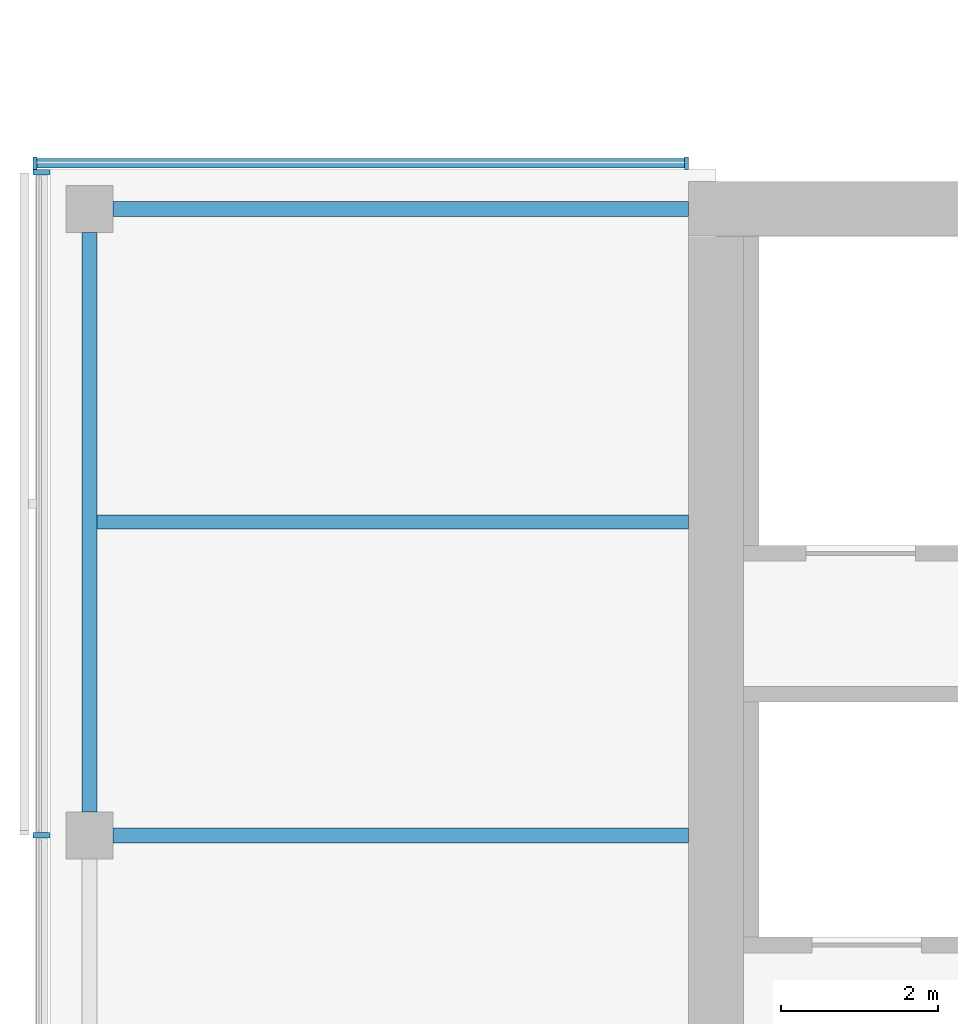
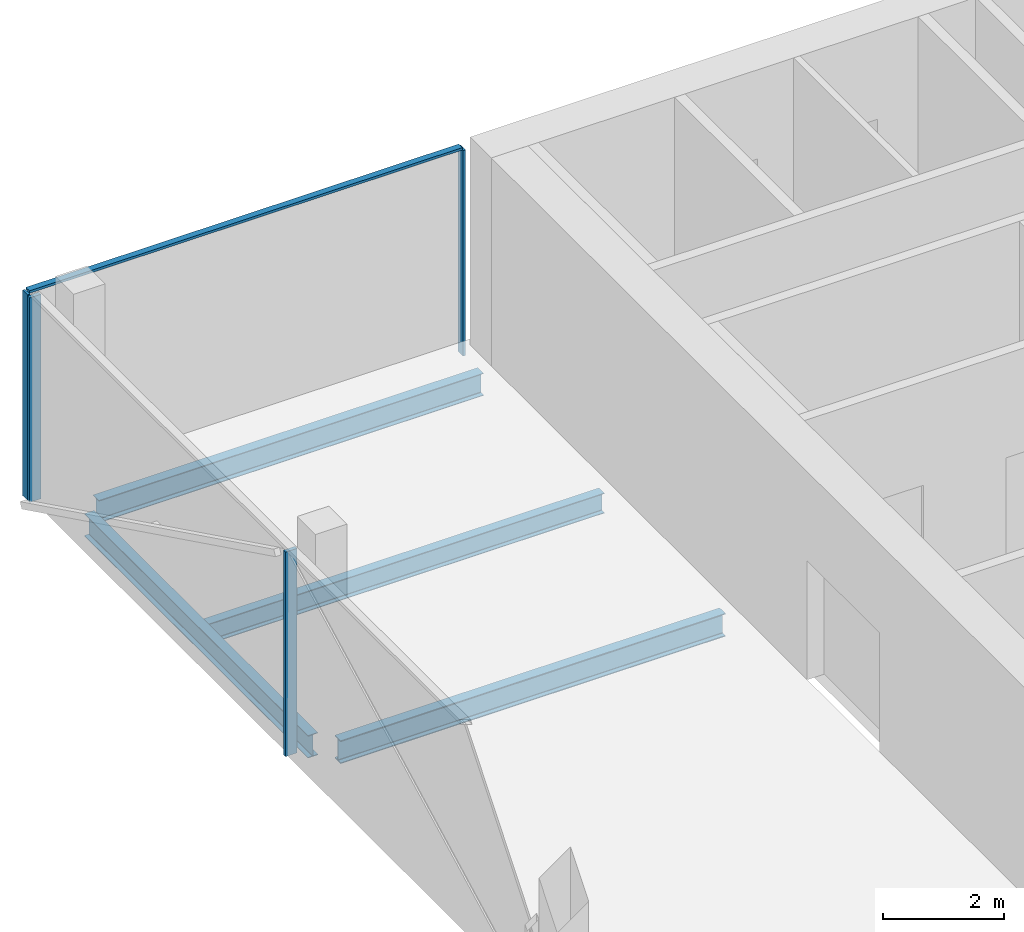
# One storey, part 7 of 22: 5 members, 4 beams, 2 elements without a shape of their own.
"""IFC4 building model written with IfcOpenShell, lengths in metres."""

import ifcopenshell
import ifcopenshell.guid

model = None  # the IFC model being written
_history = None  # IfcOwnerHistory: only IFC2X3 demands one
_inside = {}  # id of a spatial element -> (the spatial element, [elements in it])
_under = {}  # id of a project, library or spatial element -> (it, [spatial elements below it])
_declared = {}  # id of a project -> (the project, [libraries it declares])
_typed = {}  # id of a type object -> (the type object, [elements of that type])
_made_of = {}  # id of a material, layer set ... -> (it, [elements and type objects made of it])


def new_model(schema):
    """Start an empty IFC model of exactly this schema.

    Asked for "IFC4X3", IfcOpenShell would pick the latest addendum, in which some entities
    have other attributes; the version numbers below select the first issue.
    IFC2X3 requires an IfcOwnerHistory on every rooted entity: one is made here for all.
    """
    global model, _history
    if schema == "IFC4X3":
        model = ifcopenshell.file(schema_version=(4, 3, 0, 0))
    else:
        model = ifcopenshell.file(schema=schema)
    _inside.clear()
    _under.clear()
    _declared.clear()
    _typed.clear()
    _made_of.clear()
    _history = None
    if model.schema == "IFC2X3":
        org = make("IfcOrganization", Name="unknown")
        user = make(
            "IfcPersonAndOrganization",
            ThePerson=make("IfcPerson", FamilyName="unknown"),
            TheOrganization=org,
        )
        app = make(
            "IfcApplication",
            ApplicationDeveloper=org,
            Version="unknown",
            ApplicationFullName="unknown",
            ApplicationIdentifier="unknown",
        )
        _history = make(
            "IfcOwnerHistory",
            OwningUser=user,
            OwningApplication=app,
            ChangeAction="ADDED",
            CreationDate=0,
        )
    return model


def make(cls, **values):
    """One entity of the class cls with the attributes given. An attribute that is None is left unset."""
    return model.create_entity(
        cls, **{name: value for name, value in values.items() if value is not None}
    )


def rooted(cls, **values):
    """An entity with a GlobalId (a new one), such as an element, a storey or a relation."""
    return make(cls, GlobalId=ifcopenshell.guid.new(), OwnerHistory=_history, **values)


def si_unit(unit_type, name, prefix=None):
    """IfcSIUnit, for example si_unit("LENGTHUNIT", "METRE", prefix="MILLI")."""
    return make("IfcSIUnit", UnitType=unit_type, Prefix=prefix, Name=name)


def assignment(units):
    """IfcUnitAssignment: the units of a project."""
    return None if units is None else make("IfcUnitAssignment", Units=units)


def point(xyz):
    """IfcCartesianPoint."""
    return None if xyz is None else make("IfcCartesianPoint", Coordinates=xyz)


def direction(xyz):
    """IfcDirection."""
    return None if xyz is None else make("IfcDirection", DirectionRatios=xyz)


def frame(location, z_axis=None, x_axis=None):
    """IfcAxis2Placement3D, a coordinate frame: its origin and axes. An axis left out is left unset."""
    return make(
        "IfcAxis2Placement3D",
        Location=point(location),
        Axis=direction(z_axis),
        RefDirection=direction(x_axis),
    )


def frame_2d(location, x_axis=None):
    """IfcAxis2Placement2D, a coordinate frame in the plane: its origin and x axis."""
    return make(
        "IfcAxis2Placement2D", Location=point(location), RefDirection=direction(x_axis)
    )


def origin():
    """The frame at (0, 0, 0) with its axes left unset."""
    return frame((0.0, 0.0, 0.0))


def origin_2d():
    """The frame at (0, 0) in the plane with its x axis left unset."""
    return frame_2d((0.0, 0.0))


def place(relative_to, where):
    """IfcLocalPlacement: puts the frame where relative to a parent placement (None: the world)."""
    return make(
        "IfcLocalPlacement", PlacementRelTo=relative_to, RelativePlacement=where
    )


def context(
    kind, dimensions, precision=None, world=None, true_north=None, identifier=None
):
    """IfcGeometricRepresentationContext, for example the 3D "Model" context."""
    return make(
        "IfcGeometricRepresentationContext",
        ContextIdentifier=identifier,
        ContextType=kind,
        CoordinateSpaceDimension=dimensions,
        Precision=precision,
        WorldCoordinateSystem=world,
        TrueNorth=true_north,
    )


def subcontext(parent, identifier, kind, view, scale=None):
    """IfcGeometricRepresentationSubContext, for example "Body" below "Model"."""
    return make(
        "IfcGeometricRepresentationSubContext",
        ContextIdentifier=identifier,
        ContextType=kind,
        ParentContext=parent,
        TargetScale=scale,
        TargetView=view,
    )


def project(units=None, contexts=None):
    """IfcProject with its units and contexts."""
    return rooted(
        "IfcProject",
        Name="project",
        RepresentationContexts=contexts,
        UnitsInContext=assignment(units),
    )


def spatial(cls, under=None, at=None, **own):
    """A site, building, storey or space (cls), placed at a placement, below another one or the project."""
    s = rooted(cls, ObjectPlacement=at, **own)
    if under is not None:
        _under.setdefault(under.id(), (under, []))[1].append(s)
    return s


def profile(cls, at=None, kind="AREA", **sizes):
    """A parametric profile (cls). Its sizes go by their IFC names, for example OverallWidth=200.0."""
    return make(cls, ProfileType=kind, Position=at, **sizes)


def rectangle(**sizes):
    """IfcRectangleProfileDef."""
    return profile("IfcRectangleProfileDef", **sizes)


def i_section(**sizes):
    """IfcIShapeProfileDef."""
    return profile("IfcIShapeProfileDef", **sizes)


def extrude(swept, where, along, depth):
    """IfcExtrudedAreaSolid: the profile swept, set in the frame where, extruded along a direction by depth."""
    return make(
        "IfcExtrudedAreaSolid",
        SweptArea=swept,
        Position=where,
        ExtrudedDirection=direction(along),
        Depth=depth,
    )


def shape(context_of_items, identifier, shape_type, items):
    """IfcShapeRepresentation: the items that make up one representation, for example the "Body"."""
    return make(
        "IfcShapeRepresentation",
        ContextOfItems=context_of_items,
        RepresentationIdentifier=identifier,
        RepresentationType=shape_type,
        Items=items,
    )


def material(Name=None, Category=None):
    """IfcMaterial."""
    return make("IfcMaterial", Name=Name, Category=Category)


def material_profile(
    of_material, cross_section, Name=None, Category=None, Priority=None
):
    """IfcMaterialProfile: a cross section and its material."""
    return make(
        "IfcMaterialProfile",
        Name=Name,
        Material=of_material,
        Profile=cross_section,
        Priority=Priority,
        Category=Category,
    )


def profile_set(profiles, Name=None, composite=None):
    """IfcMaterialProfileSet."""
    return make(
        "IfcMaterialProfileSet",
        Name=Name,
        MaterialProfiles=profiles,
        CompositeProfile=composite,
    )


def made_of(thing, what):
    """Note that an element or type object is made of a material, layer set ...; save() writes the relation."""
    if what is not None:
        _made_of.setdefault(what.id(), (what, []))[1].append(thing)
    return thing


def type_object(cls, material=None, **own):
    """A type object (cls), such as IfcWallType, which elements share."""
    return made_of(rooted(cls, **own), material)


def element(
    cls,
    number,
    at=None,
    inside=None,
    cuts=None,
    type_object=None,
    material=None,
    context=None,
    identifier="Body",
    shape_type=None,
    held_by="IfcProductDefinitionShape",
    body=None,
    shapes=None,
    **own,
):
    """One element of the class cls, such as IfcWall. Its Tag is "e" and its number.

    at: its placement. inside: the storey or other place that contains it. cuts: it is an
    opening in that element (IfcRelVoidsElement). A single representation is given by context,
    identifier, shape_type and body (its items); several are given by shapes. held_by: the class
    of the entity that holds the representations. save() writes the other relations.
    """
    e = rooted(cls, Tag="e%d" % number, ObjectPlacement=at, **own)
    if body is not None:
        shapes = [shape(context, identifier, shape_type, body)]
    if shapes is not None:
        e.Representation = make(held_by, Representations=shapes)
    if inside is not None:
        _inside.setdefault(inside.id(), (inside, []))[1].append(e)
    if cuts is not None:
        rooted(
            "IfcRelVoidsElement", RelatingBuildingElement=cuts, RelatedOpeningElement=e
        )
    if type_object is not None:
        _typed.setdefault(type_object.id(), (type_object, []))[1].append(e)
    return made_of(e, material)


def aggregate(whole, parts):
    """IfcRelAggregates: a whole, such as a stair, and the parts it consists of."""
    return rooted("IfcRelAggregates", RelatingObject=whole, RelatedObjects=parts)


def save(model, path):
    """Write the relations noted so far, then the file.

    IfcRelAggregates (storeys below a building ...), IfcRelContainedInSpatialStructure (elements
    in a storey), IfcRelDefinesByType, IfcRelAssociatesMaterial and IfcRelDeclares: one each for
    every whole, place, type object, material and project.
    """
    for whole, parts in _under.values():
        aggregate(whole, parts)
    for where, things in _inside.values():
        rooted(
            "IfcRelContainedInSpatialStructure",
            RelatedElements=things,
            RelatingStructure=where,
        )
    for kind, things in _typed.values():
        rooted("IfcRelDefinesByType", RelatedObjects=things, RelatingType=kind)
    for what, things in _made_of.values():
        rooted("IfcRelAssociatesMaterial", RelatedObjects=things, RelatingMaterial=what)
    for by, libraries in _declared.values():
        rooted("IfcRelDeclares", RelatingContext=by, RelatedDefinitions=libraries)
    model.write(path)


model = new_model("IFC4")

# Units and contexts
model_context = context("Model", 3, precision=1e-05, world=origin(), true_north=direction((0.0, 1.0)))
body_context = subcontext(model_context, "Body", "Model", "MODEL_VIEW")
ifc_project = project(units=[si_unit("LENGTHUNIT", "METRE"), si_unit("AREAUNIT", "SQUARE_METRE"), si_unit("VOLUMEUNIT", "CUBIC_METRE"), si_unit("PLANEANGLEUNIT", "RADIAN"), si_unit("MASSUNIT", "GRAM", prefix="KILO")], contexts=[model_context])

# Site, building, storey
site_placement = place(None, origin())
site = spatial("IfcSite", under=ifc_project, at=site_placement, CompositionType="ELEMENT")
building_placement = place(site_placement, origin())
building = spatial("IfcBuilding", under=site, at=building_placement, Name="Crosswind Convention Tower", CompositionType="ELEMENT")
storey_placement = place(building_placement, frame((0.0, 0.0, 121.10009765625)))
storey = spatial("IfcBuildingStorey", under=building, at=storey_placement, Name="L24", CompositionType="ELEMENT", Elevation=121.10009765625)

# Beams
ifc_material_1 = material(Name="Steel S355", Category="steel")
ifc_material_profile_1 = material_profile(ifc_material_1, i_section(OverallWidth=0.18994140625, OverallDepth=0.45361328125, WebThickness=0.008544921875, FlangeThickness=0.0126953125, FilletRadius=0.01025390625, at=origin_2d()), Name="UB 457x191x67")
ifc_profile_set_1 = profile_set([ifc_material_profile_1], Name="Steel S355")
beam_type_1 = type_object("IfcBeamType", Name="Edge beam UB 457x191x67", PredefinedType="SPANDREL", material=ifc_profile_set_1)
beam_1_placement = place(storey_placement, frame((89.0, 104.300048828125, -0.52685546875), z_axis=(0.0, 1.0, 0.0), x_axis=(-1.0, 0.0, 0.0)))
element("IfcBeam", 1, at=beam_1_placement, inside=storey, type_object=beam_type_1, Name="B16 L24 edge beam 3", PredefinedType="SPANDREL", context=body_context, shape_type="SweptSolid", body=[
    extrude(i_section(OverallWidth=0.18994140625, OverallDepth=0.45361328125, WebThickness=0.008544921875, FlangeThickness=0.0126953125, FilletRadius=0.01025390625, at=origin_2d()), origin(), (0.0, 0.0, 1.0), 7.39990234375),
])
beam_2_placement = place(storey_placement, frame((89.300048828125, 112.0, -0.52685546875), z_axis=(1.0, 0.0, 0.0), x_axis=(0.0, 1.0, 0.0)))
element("IfcBeam", 2, at=beam_2_placement, inside=storey, type_object=beam_type_1, Name="B16 L24 edge beam 5", PredefinedType="SPANDREL", context=body_context, shape_type="SweptSolid", body=[
    extrude(i_section(OverallWidth=0.18994140625, OverallDepth=0.45361328125, WebThickness=0.008544921875, FlangeThickness=0.0126953125, FilletRadius=0.01025390625, at=origin_2d()), origin(), (0.0, 0.0, 1.0), 7.349853515625),
])
ifc_material_profile_2 = material_profile(ifc_material_1, i_section(OverallWidth=0.19189453125, OverallDepth=0.463623046875, WebThickness=0.010498046875, FlangeThickness=0.017578125, FilletRadius=0.01025390625, at=origin_2d()), Name="UB 457x191x90")
ifc_profile_set_2 = profile_set([ifc_material_profile_2], Name="Steel S355")
beam_type_2 = type_object("IfcBeamType", Name="Girder at core wall UB 457x191x90", PredefinedType="BEAM", material=ifc_profile_set_2)
beam_3_placement = place(storey_placement, frame((89.300048828125, 104.0, -0.531982421875), z_axis=(1.0, 0.0, 0.0), x_axis=(0.0, 1.0, 0.0)))
element("IfcBeam", 3, at=beam_3_placement, inside=storey, type_object=beam_type_2, Name="B24 L24 girder at core wall 2", PredefinedType="BEAM", context=body_context, shape_type="SweptSolid", body=[
    extrude(i_section(OverallWidth=0.19189453125, OverallDepth=0.463623046875, WebThickness=0.010498046875, FlangeThickness=0.017578125, FilletRadius=0.01025390625, at=origin_2d()), origin(), (0.0, 0.0, 1.0), 7.349853515625),
])

# Curtain wall, members
ifc_material_2 = material(Name="Aluminium unitised curtain wall", Category="aluminium")
curtain_wall_type_1 = type_object("IfcCurtainWallType", Name="CORE END SLOT WALL 160", PredefinedType="USERDEFINED", material=ifc_material_2)
curtain_wall_1_placement = place(storey_placement, origin())
curtain_wall_1 = element("IfcCurtainWall", 4, at=curtain_wall_1_placement, inside=storey, type_object=curtain_wall_type_1, Name="CW6 L24 W-N.2-1 slot", ObjectType="UNITISED", PredefinedType="USERDEFINED")
ifc_material_3 = material(Name="Aluminium mullion", Category="aluminium")
ifc_material_profile_3 = material_profile(ifc_material_3, rectangle(XDim=0.159912109375, YDim=0.050048828125, at=origin_2d()), Name="AL 160X50")
ifc_profile_set_3 = profile_set([ifc_material_profile_3], Name="Aluminium mullion")
member_type_1 = type_object("IfcMemberType", Name="MULLION 50X160", PredefinedType="MULLION", material=ifc_profile_set_3)
member_1_placement = place(storey_placement, frame((96.625, 112.580078125, -0.300048828125), z_axis=(0.0, 0.0, 1.0), x_axis=(0.0, 1.0, 0.0)))
member_1 = element("IfcMember", 5, at=member_1_placement, type_object=member_type_1, Name="CW6 mullion 1", PredefinedType="MULLION", context=body_context, shape_type="SweptSolid", body=[
    extrude(rectangle(XDim=0.159912109375, YDim=0.050048828125, at=origin_2d()), origin(), (0.0, 0.0, 1.0), 4.14990234375),
])
member_2_placement = place(storey_placement, frame((88.304931640625, 112.580078125, -0.300048828125), z_axis=(0.0, 0.0, 1.0), x_axis=(0.0, 1.0, 0.0)))
member_2 = element("IfcMember", 6, at=member_2_placement, type_object=member_type_1, Name="CW6 mullion 2", PredefinedType="MULLION", context=body_context, shape_type="SweptSolid", body=[
    extrude(rectangle(XDim=0.159912109375, YDim=0.050048828125, at=origin_2d()), origin(), (0.0, 0.0, 1.0), 4.14990234375),
])

curtain_wall_type_2 = type_object("IfcCurtainWallType", Name="OFFICE UNITISED WALL 220", PredefinedType="USERDEFINED", material=ifc_material_2)
curtain_wall_2_placement = place(storey_placement, origin())
curtain_wall_2 = element("IfcCurtainWall", 7, at=curtain_wall_2_placement, inside=storey, type_object=curtain_wall_type_2, Name="CW3 L24 W-TIP 1", ObjectType="UNITISED", PredefinedType="USERDEFINED")
ifc_material_profile_4 = material_profile(ifc_material_3, rectangle(XDim=0.219970703125, YDim=0.070068359375, at=origin_2d()), Name="AL 220X70")
ifc_profile_set_4 = profile_set([ifc_material_profile_4], Name="Aluminium mullion")
member_type_2 = type_object("IfcMemberType", Name="MULLION 70X220", PredefinedType="MULLION", material=ifc_profile_set_4)
member_3_placement = place(storey_placement, frame((88.389892578125, 112.465087890625, -0.300048828125), z_axis=(0.0, 0.0, 1.0), x_axis=(-1.0, 0.0, 0.0)))
member_3 = element("IfcMember", 8, at=member_3_placement, type_object=member_type_2, Name="CW3 mullion 1", PredefinedType="MULLION", context=body_context, shape_type="SweptSolid", body=[
    extrude(rectangle(XDim=0.219970703125, YDim=0.070068359375, at=origin_2d()), origin(), (0.0, 0.0, 1.0), 4.1298828125),
])
member_4_placement = place(storey_placement, frame((88.389892578125, 104.0, -0.300048828125), z_axis=(0.0, 0.0, 1.0), x_axis=(-1.0, 0.0, 0.0)))
member_4 = element("IfcMember", 9, at=member_4_placement, type_object=member_type_2, Name="CW3 mullion 2", PredefinedType="MULLION", context=body_context, shape_type="SweptSolid", body=[
    extrude(rectangle(XDim=0.219970703125, YDim=0.070068359375, at=origin_2d()), origin(), (0.0, 0.0, 1.0), 4.1298828125),
])
aggregate(curtain_wall_2, [member_3, member_4])

# Beam
ifc_material_profile_5 = material_profile(ifc_material_1, i_section(OverallWidth=0.177734375, OverallDepth=0.406494140625, WebThickness=0.0078125, FlangeThickness=0.0126953125, FilletRadius=0.01025390625, at=origin_2d()), Name="UB 406x178x60")
ifc_profile_set_5 = profile_set([ifc_material_profile_5], Name="Steel S355")
beam_type_3 = type_object("IfcBeamType", Name="Secondary beam UB 406x178x60", PredefinedType="JOIST", material=ifc_profile_set_5)
beam_4_placement = place(storey_placement, frame((89.094970703125, 108.0, -0.50341796875), z_axis=(1.0, 0.0, 0.0), x_axis=(0.0, 1.0, 0.0)))
element("IfcBeam", 10, at=beam_4_placement, inside=storey, type_object=beam_type_3, Name="B10 L24 secondary beam 3", PredefinedType="JOIST", context=body_context, shape_type="SweptSolid", body=[
    extrude(i_section(OverallWidth=0.177734375, OverallDepth=0.406494140625, WebThickness=0.0078125, FlangeThickness=0.0126953125, FilletRadius=0.01025390625, at=origin_2d()), origin(), (0.0, 0.0, 1.0), 7.554931640625),
])

# Member
ifc_material_4 = material(Name="Aluminium transom", Category="aluminium")
ifc_material_profile_6 = material_profile(ifc_material_4, rectangle(XDim=0.1201171875, YDim=0.050048828125, at=origin_2d()), Name="AL 120X50")
ifc_profile_set_6 = profile_set([ifc_material_profile_6], Name="Aluminium transom")
member_type_3 = type_object("IfcMemberType", Name="TRANSOM 50X120", PredefinedType="USERDEFINED", material=ifc_profile_set_6)
member_5_placement = place(storey_placement, frame((96.60009765625, 112.580078125, 3.875), z_axis=(-1.0, 0.0, 0.0), x_axis=(0.0, -1.0, 0.0)))
member_5 = element("IfcMember", 11, at=member_5_placement, type_object=member_type_3, Name="CW6 transom", ObjectType="TRANSOM", PredefinedType="USERDEFINED", context=body_context, shape_type="SweptSolid", body=[
    extrude(rectangle(XDim=0.1201171875, YDim=0.050048828125, at=origin_2d()), origin(), (0.0, 0.0, 1.0), 8.27001953125),
])

aggregate(curtain_wall_1, [member_1, member_2, member_5])

save(model, "model.ifc")
